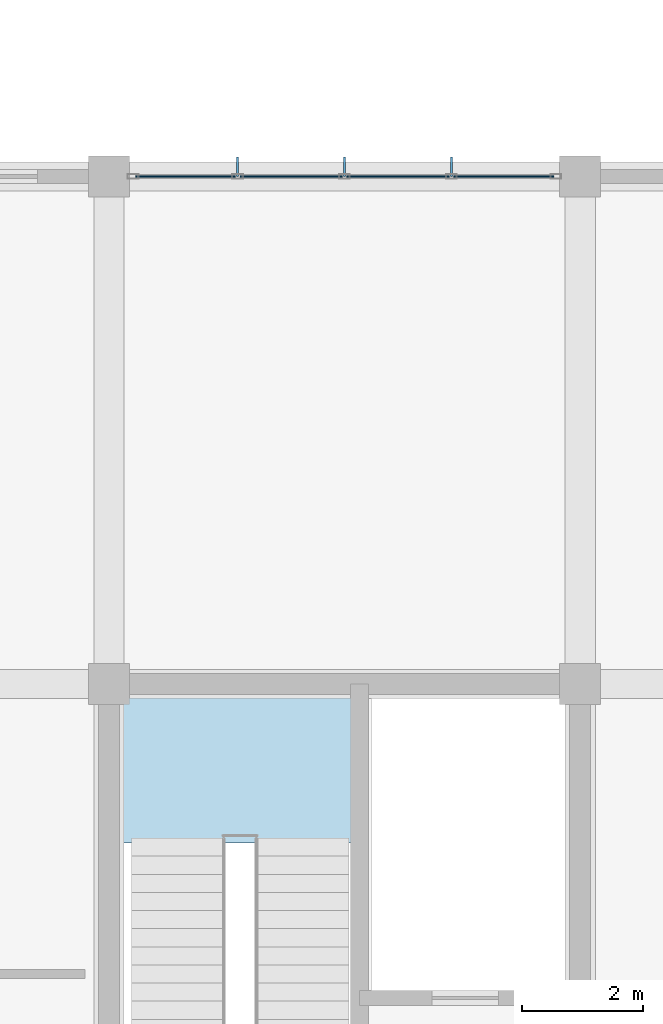
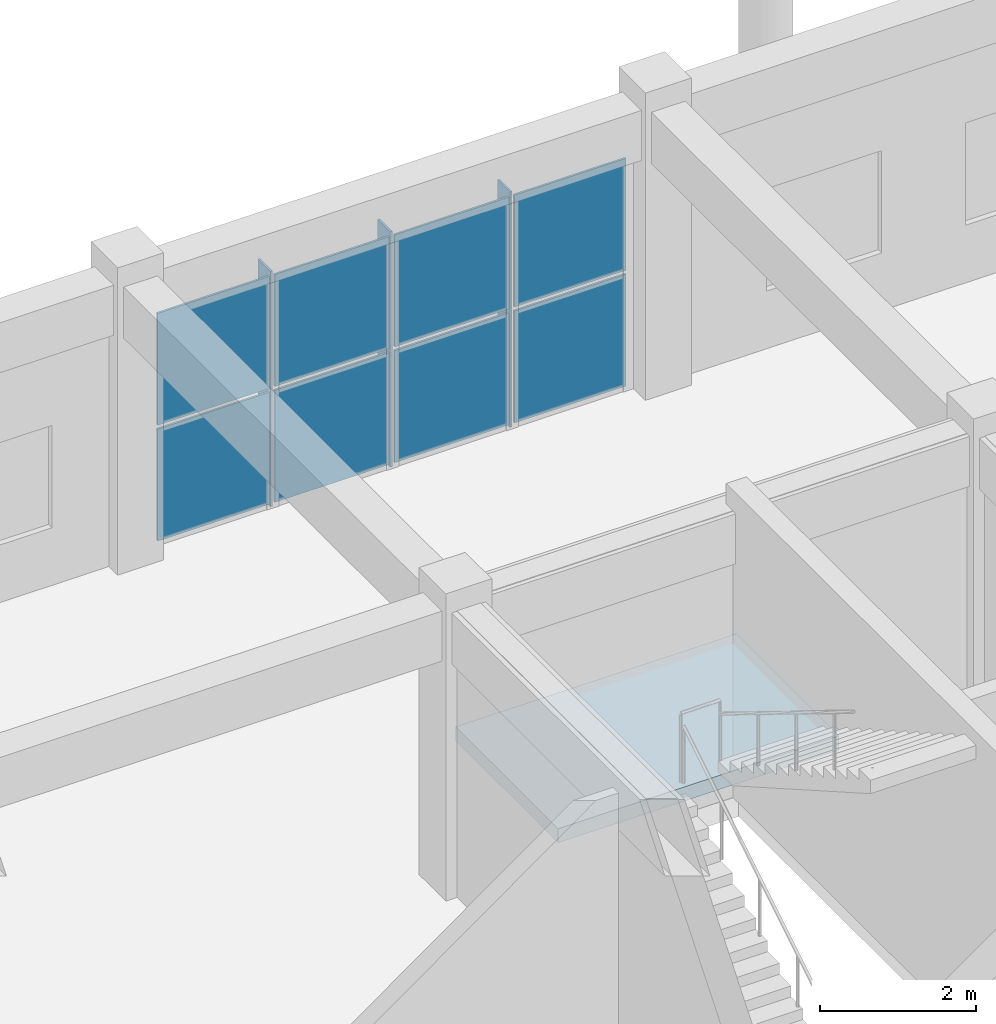
# One storey, part 152 of 175: 11 plates, 1 slab, 2 elements without a shape of their own.
"""IFC4 building model written with IfcOpenShell, lengths in metres."""

from ifc_helpers import new_model, si_unit, direction, frame, origin, origin_2d, place, context, subcontext, project, spatial, polyline, rectangle, outline, extrude, material, layer, layer_set, type_object, element, aggregate, save


model = new_model("IFC4")

# Units and contexts
model_context = context("Model", 3, precision=1e-05, world=origin(), true_north=direction((0.0, 1.0)))
body_context = subcontext(model_context, "Body", "Model", "MODEL_VIEW")
ifc_project = project(units=[si_unit("LENGTHUNIT", "METRE"), si_unit("AREAUNIT", "SQUARE_METRE"), si_unit("VOLUMEUNIT", "CUBIC_METRE"), si_unit("PLANEANGLEUNIT", "RADIAN"), si_unit("MASSUNIT", "GRAM", prefix="KILO")], contexts=[model_context])

# Site, building, storey
site_placement = place(None, origin())
site = spatial("IfcSite", under=ifc_project, at=site_placement, CompositionType="ELEMENT")
building_placement = place(site_placement, origin())
building = spatial("IfcBuilding", under=site, at=building_placement, Name="Zizhar Promenade General Hospital", CompositionType="ELEMENT")
storey_placement = place(building_placement, frame((0.0, 0.0, 4.800048828125)))
storey = spatial("IfcBuildingStorey", under=building, at=storey_placement, Name="L01", CompositionType="ELEMENT", Elevation=4.800048828125)

# Curtain wall, plates
ifc_material_1 = material(Name="Anodised aluminium 6063-T6 and low-E glass", Category="aluminium")
ifc_layer_1 = layer(ifc_material_1, 0.159912109375)
ifc_layer_set_1 = layer_set([ifc_layer_1], Name="Anodised aluminium 6063-T6 and low-E glass")
curtain_wall_type = type_object("IfcCurtainWallType", Name="CW-CLN-EXT", PredefinedType="NOTDEFINED", material=ifc_layer_set_1)
curtain_wall_placement = place(storey_placement, origin())
curtain_wall = element("IfcCurtainWall", 1, at=curtain_wall_placement, inside=storey, type_object=curtain_wall_type, Name="Outpatient North Curtain Wall L01-22", PredefinedType="NOTDEFINED")
ifc_material_2 = material(Name="Low-E solar-control glass", Category="glass")
ifc_layer_2 = layer(ifc_material_2, 0.031982421875)
ifc_layer_set_2 = layer_set([ifc_layer_2], Name="Low-E solar-control glass")
plate_type_1 = type_object("IfcPlateType", Name="CWP-GLZ-32", PredefinedType="CURTAIN_PANEL", material=ifc_layer_set_2)
plate_1_placement = place(storey_placement, frame((172.864990234375, 109.199951171875, 0.06005859375), z_axis=(0.0, 0.0, 1.0), x_axis=(1.0, 0.0, 0.0)))
plate_1 = element("IfcPlate", 2, at=plate_1_placement, type_object=plate_type_1, Name="CW-09 panel 1.1", PredefinedType="CURTAIN_PANEL", context=body_context, shape_type="SweptSolid", body=[
    extrude(rectangle(XDim=1.64990234375, YDim=0.031982421875, at=origin_2d()), origin(), (0.0, 0.0, 1.0), 1.75),
])
plate_2_placement = place(storey_placement, frame((172.864990234375, 109.199951171875, 1.869873046875), z_axis=(0.0, 0.0, 1.0), x_axis=(1.0, 0.0, 0.0)))
plate_2 = element("IfcPlate", 3, at=plate_2_placement, type_object=plate_type_1, Name="CW-09 panel 1.2", PredefinedType="CURTAIN_PANEL", context=body_context, shape_type="SweptSolid", body=[
    extrude(rectangle(XDim=1.64990234375, YDim=0.031982421875, at=origin_2d()), origin(), (0.0, 0.0, 1.0), 1.75),
])
plate_3_placement = place(storey_placement, frame((174.614990234375, 109.199951171875, 0.06005859375), z_axis=(0.0, 0.0, 1.0), x_axis=(1.0, 0.0, 0.0)))
plate_3 = element("IfcPlate", 4, at=plate_3_placement, type_object=plate_type_1, Name="CW-09 panel 2.1", PredefinedType="CURTAIN_PANEL", context=body_context, shape_type="SweptSolid", body=[
    extrude(rectangle(XDim=1.68994140625, YDim=0.031982421875, at=origin_2d()), origin(), (0.0, 0.0, 1.0), 1.75),
])
plate_4_placement = place(storey_placement, frame((174.614990234375, 109.199951171875, 1.869873046875), z_axis=(0.0, 0.0, 1.0), x_axis=(1.0, 0.0, 0.0)))
plate_4 = element("IfcPlate", 5, at=plate_4_placement, type_object=plate_type_1, Name="CW-09 panel 2.2", PredefinedType="CURTAIN_PANEL", context=body_context, shape_type="SweptSolid", body=[
    extrude(rectangle(XDim=1.68994140625, YDim=0.031982421875, at=origin_2d()), origin(), (0.0, 0.0, 1.0), 1.75),
])
plate_5_placement = place(storey_placement, frame((176.385009765625, 109.199951171875, 0.06005859375), z_axis=(0.0, 0.0, 1.0), x_axis=(1.0, 0.0, 0.0)))
plate_5 = element("IfcPlate", 6, at=plate_5_placement, type_object=plate_type_1, Name="CW-09 panel 3.1", PredefinedType="CURTAIN_PANEL", context=body_context, shape_type="SweptSolid", body=[
    extrude(rectangle(XDim=1.68994140625, YDim=0.031982421875, at=origin_2d()), origin(), (0.0, 0.0, 1.0), 1.75),
])
plate_6_placement = place(storey_placement, frame((176.385009765625, 109.199951171875, 1.869873046875), z_axis=(0.0, 0.0, 1.0), x_axis=(1.0, 0.0, 0.0)))
plate_6 = element("IfcPlate", 7, at=plate_6_placement, type_object=plate_type_1, Name="CW-09 panel 3.2", PredefinedType="CURTAIN_PANEL", context=body_context, shape_type="SweptSolid", body=[
    extrude(rectangle(XDim=1.68994140625, YDim=0.031982421875, at=origin_2d()), origin(), (0.0, 0.0, 1.0), 1.75),
])
plate_7_placement = place(storey_placement, frame((178.135009765625, 109.199951171875, 0.06005859375), z_axis=(0.0, 0.0, 1.0), x_axis=(1.0, 0.0, 0.0)))
plate_7 = element("IfcPlate", 8, at=plate_7_placement, type_object=plate_type_1, Name="CW-09 panel 4.1", PredefinedType="CURTAIN_PANEL", context=body_context, shape_type="SweptSolid", body=[
    extrude(rectangle(XDim=1.64990234375, YDim=0.031982421875, at=origin_2d()), origin(), (0.0, 0.0, 1.0), 1.75),
])
plate_8_placement = place(storey_placement, frame((178.135009765625, 109.199951171875, 1.869873046875), z_axis=(0.0, 0.0, 1.0), x_axis=(1.0, 0.0, 0.0)))
plate_8 = element("IfcPlate", 9, at=plate_8_placement, type_object=plate_type_1, Name="CW-09 panel 4.2", PredefinedType="CURTAIN_PANEL", context=body_context, shape_type="SweptSolid", body=[
    extrude(rectangle(XDim=1.64990234375, YDim=0.031982421875, at=origin_2d()), origin(), (0.0, 0.0, 1.0), 1.75),
])
aggregate(curtain_wall, [plate_1, plate_2, plate_3, plate_4, plate_5, plate_6, plate_7, plate_8])

# Plates
ifc_material_3 = material(Name="Anodised aluminium 6063-T6", Category="aluminium")
ifc_layer_3 = layer(ifc_material_3, 0.033935546875)
ifc_layer_set_3 = layer_set([ifc_layer_3], Name="Anodised aluminium 6063-T6")
plate_type_2 = type_object("IfcPlateType", Name="FIN-ALU-320", PredefinedType="USERDEFINED", material=ifc_layer_set_3)
plate_9_placement = place(storey_placement, origin())
element("IfcPlate", 10, at=plate_9_placement, inside=storey, type_object=plate_type_2, Name="Outpatient North Curtain Wall L01-22 Solar Fin 1", ObjectType="SOLAR_SHADE", PredefinedType="USERDEFINED", context=body_context, shape_type="SweptSolid", body=[
    extrude(outline(polyline([(173.712890625, 109.199951171875), (173.7470703125, 109.199951171875), (173.7470703125, 109.52001953125), (173.712890625, 109.52001953125), (173.712890625, 109.199951171875)])), origin(), (0.0, 0.0, 1.0), 3.679931640625),
])
plate_10_placement = place(storey_placement, origin())
element("IfcPlate", 11, at=plate_10_placement, inside=storey, type_object=plate_type_2, Name="Outpatient North Curtain Wall L01-22 Solar Fin 2", ObjectType="SOLAR_SHADE", PredefinedType="USERDEFINED", context=body_context, shape_type="SweptSolid", body=[
    extrude(outline(polyline([(175.48291015625, 109.199951171875), (175.51708984375, 109.199951171875), (175.51708984375, 109.52001953125), (175.48291015625, 109.52001953125), (175.48291015625, 109.199951171875)])), origin(), (0.0, 0.0, 1.0), 3.679931640625),
])
plate_11_placement = place(storey_placement, origin())
element("IfcPlate", 12, at=plate_11_placement, inside=storey, type_object=plate_type_2, Name="Outpatient North Curtain Wall L01-22 Solar Fin 3", ObjectType="SOLAR_SHADE", PredefinedType="USERDEFINED", context=body_context, shape_type="SweptSolid", body=[
    extrude(outline(polyline([(177.2529296875, 109.199951171875), (177.287109375, 109.199951171875), (177.287109375, 109.52001953125), (177.2529296875, 109.52001953125), (177.2529296875, 109.199951171875)])), origin(), (0.0, 0.0, 1.0), 3.679931640625),
])

# Stair, slab
ifc_material_4 = material(Name="Concrete C35/45", Category="concrete")
stair_type = type_object("IfcStairType", Name="STR-DOG-480", PredefinedType="HALF_TURN_STAIR", material=ifc_material_4)
stair_placement = place(storey_placement, origin())
stair = element("IfcStair", 13, at=stair_placement, inside=storey, type_object=stair_type, Name="Exit Stair ST-08 (L01 to L02)", PredefinedType="HALF_TURN_STAIR")
ifc_material_5 = material(Name="Concrete C35/45", Category="concrete")
ifc_layer_4 = layer(ifc_material_5, 0.219970703125)
ifc_layer_set_4 = layer_set([ifc_layer_4], Name="Concrete C35/45")
slab_type = type_object("IfcSlabType", Name="SLB-LAND-480", PredefinedType="LANDING", material=ifc_layer_set_4)
slab_placement = place(storey_placement, frame((0.0, 0.0, 2.179931640625)))
slab = element("IfcSlab", 14, at=slab_placement, type_object=slab_type, Name="ST-08A landing 1", PredefinedType="LANDING", context=body_context, shape_type="SweptSolid", body=[
    extrude(outline(polyline([(171.60009765625, 98.169921875), (175.75, 98.169921875), (175.75, 100.800048828125), (171.60009765625, 100.800048828125), (171.60009765625, 98.169921875)])), origin(), (0.0, 0.0, 1.0), 0.219970703125),
])
aggregate(stair, [slab])

save(model, "model.ifc")
